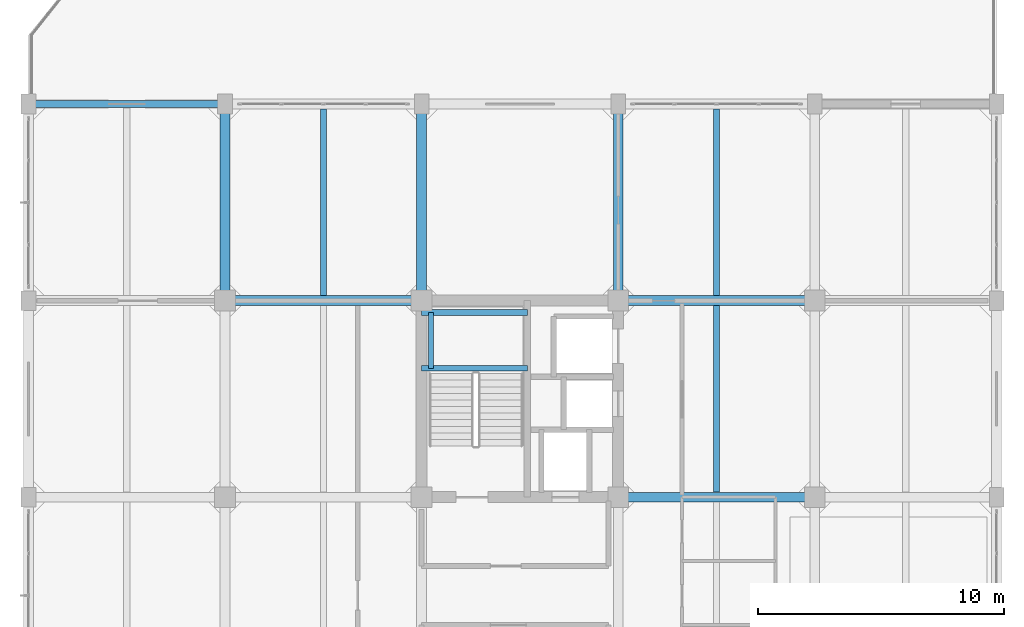
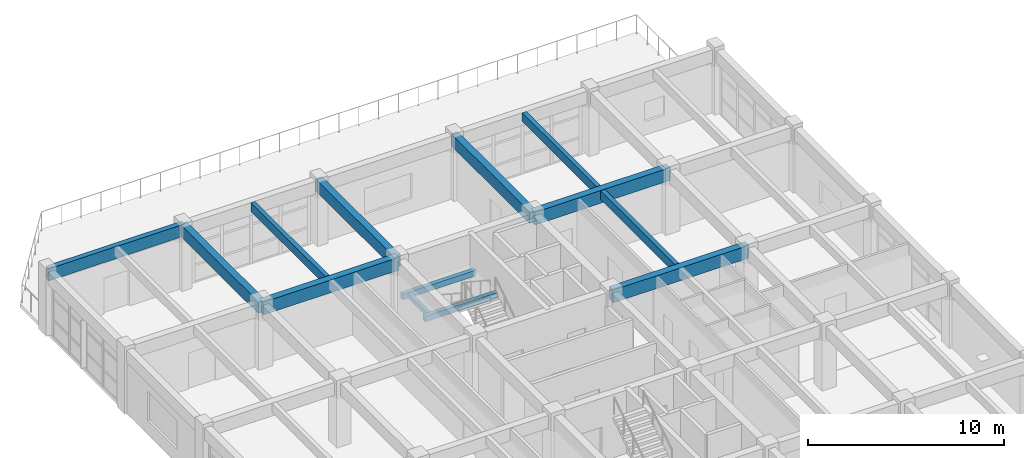
# One storey, part 16 of 30: 13 beams.
"""IFC4 building model written with IfcOpenShell, lengths in metres."""

from ifc_helpers import new_model, si_unit, direction, frame, origin, origin_2d, place, context, subcontext, project, spatial, rectangle, extrude, material, material_profile, profile_set, type_object, element, save


model = new_model("IFC4")

# Units and contexts
model_context = context("Model", 3, precision=1e-05, world=origin(), true_north=direction((0.0, 1.0)))
body_context = subcontext(model_context, "Body", "Model", "MODEL_VIEW")
ifc_project = project(units=[si_unit("LENGTHUNIT", "METRE"), si_unit("AREAUNIT", "SQUARE_METRE"), si_unit("VOLUMEUNIT", "CUBIC_METRE"), si_unit("PLANEANGLEUNIT", "RADIAN"), si_unit("MASSUNIT", "GRAM", prefix="KILO")], contexts=[model_context])

# Site, building, storey
site_placement = place(None, origin())
site = spatial("IfcSite", under=ifc_project, at=site_placement, CompositionType="ELEMENT")
building_placement = place(site_placement, origin())
building = spatial("IfcBuilding", under=site, at=building_placement, Name="Canggui Botanical Conservatory", CompositionType="ELEMENT")
storey_placement = place(building_placement, frame((0.0, 0.0, 19.199951171875)))
storey = spatial("IfcBuildingStorey", under=building, at=storey_placement, Name="L05", CompositionType="ELEMENT", Elevation=19.199951171875)

# Beams
ifc_material = material(Name="Concrete C35", Category="concrete")
ifc_material_profile_1 = material_profile(ifc_material, rectangle(XDim=0.25, YDim=0.550048828125, at=origin_2d()), Name="RB 250x550")
ifc_profile_set_1 = profile_set([ifc_material_profile_1], Name="Concrete C35")
beam_type_1 = type_object("IfcBeamType", Name="BM-JST03", PredefinedType="JOIST", material=ifc_profile_set_1)
for number, where, z_axis, x_axis, name in (
    (1, (150.0, 66.205078125, 3.68505859375), (0.0, 1.0, 0.0), (-1.0, 0.0, 0.0), "Secondary Floor Joist L05-2-6"),
    (2, (166.0, 58.205078125, 3.68505859375), (0.0, 1.0, 0.0), (-1.0, 0.0, 0.0), "Secondary Floor Joist L05-4-5"),
    (3, (166.0, 66.205078125, 3.68505859375), (0.0, 1.0, 0.0), (-1.0, 0.0, 0.0), "Secondary Floor Joist L05-4-6"),
):
    element("IfcBeam", number, at=place(storey_placement, frame(where, z_axis=z_axis, x_axis=x_axis)), inside=storey, type_object=beam_type_1, Name=name, PredefinedType="JOIST", context=body_context, shape_type="SweptSolid", body=[
        extrude(rectangle(XDim=0.25, YDim=0.550048828125, at=origin_2d()), origin(), (0.0, 0.0, 1.0), 7.58984375),
    ])
ifc_material_profile_2 = material_profile(ifc_material, rectangle(XDim=0.39990234375, YDim=0.800048828125, at=origin_2d()), Name="RB 400x800")
ifc_profile_set_2 = profile_set([ifc_material_profile_2], Name="Concrete C35")
beam_type_2 = type_object("IfcBeamType", Name="BM-KL09", PredefinedType="BEAM", material=ifc_profile_set_2)
for number, where, z_axis, x_axis, name in (
    (4, (162.0, 58.0, 3.56005859375), (1.0, 0.0, 0.0), (0.0, 1.0, 0.0), "Frame Girder L05 Y58-4"),
    (5, (146.0, 66.0, 3.56005859375), (1.0, 0.0, 0.0), (0.0, 1.0, 0.0), "Frame Girder L05 Y66-2"),
    (6, (162.0, 66.0, 3.56005859375), (1.0, 0.0, 0.0), (0.0, 1.0, 0.0), "Frame Girder L05 Y66-4"),
):
    element("IfcBeam", number, at=place(storey_placement, frame(where, z_axis=z_axis, x_axis=x_axis)), inside=storey, type_object=beam_type_2, Name=name, PredefinedType="BEAM", context=body_context, shape_type="SweptSolid", body=[
        extrude(rectangle(XDim=0.39990234375, YDim=0.800048828125, at=origin_2d()), origin(), (0.0, 0.0, 1.0), 8.0),
    ])
ifc_material_profile_3 = material_profile(ifc_material, rectangle(XDim=0.39990234375, YDim=0.75, at=origin_2d()), Name="RB 400x750")
ifc_profile_set_3 = profile_set([ifc_material_profile_3], Name="Concrete C35")
beam_type_3 = type_object("IfcBeamType", Name="BM-KL10", PredefinedType="BEAM", material=ifc_profile_set_3)
for number, where, z_axis, x_axis, name in (
    (7, (146.0, 66.0, 3.5849609375), (0.0, 1.0, 0.0), (-1.0, 0.0, 0.0), "Frame Girder L05 X146-6"),
    (8, (154.0, 66.0, 3.5849609375), (0.0, 1.0, 0.0), (-1.0, 0.0, 0.0), "Frame Girder L05 X154-6"),
    (9, (162.0, 66.0, 3.5849609375), (0.0, 1.0, 0.0), (-1.0, 0.0, 0.0), "Frame Girder L05 X162-6"),
):
    element("IfcBeam", number, at=place(storey_placement, frame(where, z_axis=z_axis, x_axis=x_axis)), inside=storey, type_object=beam_type_3, Name=name, PredefinedType="BEAM", context=body_context, shape_type="SweptSolid", body=[
        extrude(rectangle(XDim=0.39990234375, YDim=0.75, at=origin_2d()), origin(), (0.0, 0.0, 1.0), 8.0),
    ])
ifc_material_profile_4 = material_profile(ifc_material, rectangle(XDim=0.239990234375, YDim=0.360107421875, at=origin_2d()), Name="RB 240x360")
ifc_profile_set_4 = profile_set([ifc_material_profile_4], Name="Concrete C35")
beam_type_4 = type_object("IfcBeamType", Name="BM-LIN01", PredefinedType="LINTEL", material=ifc_profile_set_4)
for number, where, z_axis, x_axis, name in (
    (10, (154.0, 63.24755859375, 1.719970703125), (1.0, 0.0, 0.0), (0.0, 1.0, 0.0), "ST-T2 Half-Landing Ledger Beam L05-1.1"),
    (11, (154.0, 65.52001953125, 1.719970703125), (1.0, 0.0, 0.0), (0.0, 1.0, 0.0), "ST-T2 Half-Landing Ledger Beam L05-1.2"),
):
    element("IfcBeam", number, at=place(storey_placement, frame(where, z_axis=z_axis, x_axis=x_axis)), inside=storey, type_object=beam_type_4, Name=name, PredefinedType="LINTEL", context=body_context, shape_type="SweptSolid", body=[
        extrude(rectangle(XDim=0.239990234375, YDim=0.360107421875, at=origin_2d()), origin(), (0.0, 0.0, 1.0), 4.300048828125),
    ])
ifc_material_profile_5 = material_profile(ifc_material, rectangle(XDim=0.199951171875, YDim=0.320068359375, at=origin_2d()), Name="RB 200x320")
ifc_profile_set_5 = profile_set([ifc_material_profile_5], Name="Concrete C35")
beam_type_5 = type_object("IfcBeamType", Name="BM-LIN02", PredefinedType="LINTEL", material=ifc_profile_set_5)
beam_1_placement = place(storey_placement, frame((154.3798828125, 63.24755859375, 1.719970703125), z_axis=(0.0, 1.0, 0.0), x_axis=(-1.0, 0.0, 0.0)))
element("IfcBeam", 12, at=beam_1_placement, inside=storey, type_object=beam_type_5, Name="ST-T2 Half-Landing Edge Ledger L05-1.3", PredefinedType="LINTEL", context=body_context, shape_type="SweptSolid", body=[
    extrude(rectangle(XDim=0.199951171875, YDim=0.320068359375, at=origin_2d()), origin(), (0.0, 0.0, 1.0), 2.2724609375),
])
ifc_material_profile_6 = material_profile(ifc_material, rectangle(XDim=0.300048828125, YDim=0.75, at=origin_2d()), Name="RB 300x750")
ifc_profile_set_6 = profile_set([ifc_material_profile_6], Name="Concrete C35")
beam_type_6 = type_object("IfcBeamType", Name="BM-SPD01", PredefinedType="SPANDREL", material=ifc_profile_set_6)
beam_2_placement = place(storey_placement, frame((138.0, 74.0, 3.5849609375), z_axis=(1.0, 0.0, 0.0), x_axis=(0.0, 1.0, 0.0)))
element("IfcBeam", 13, at=beam_2_placement, inside=storey, type_object=beam_type_6, Name="Frame Girder L05 Y74-1", PredefinedType="SPANDREL", context=body_context, shape_type="SweptSolid", body=[
    extrude(rectangle(XDim=0.300048828125, YDim=0.75, at=origin_2d()), origin(), (0.0, 0.0, 1.0), 8.0),
])

save(model, "model.ifc")
